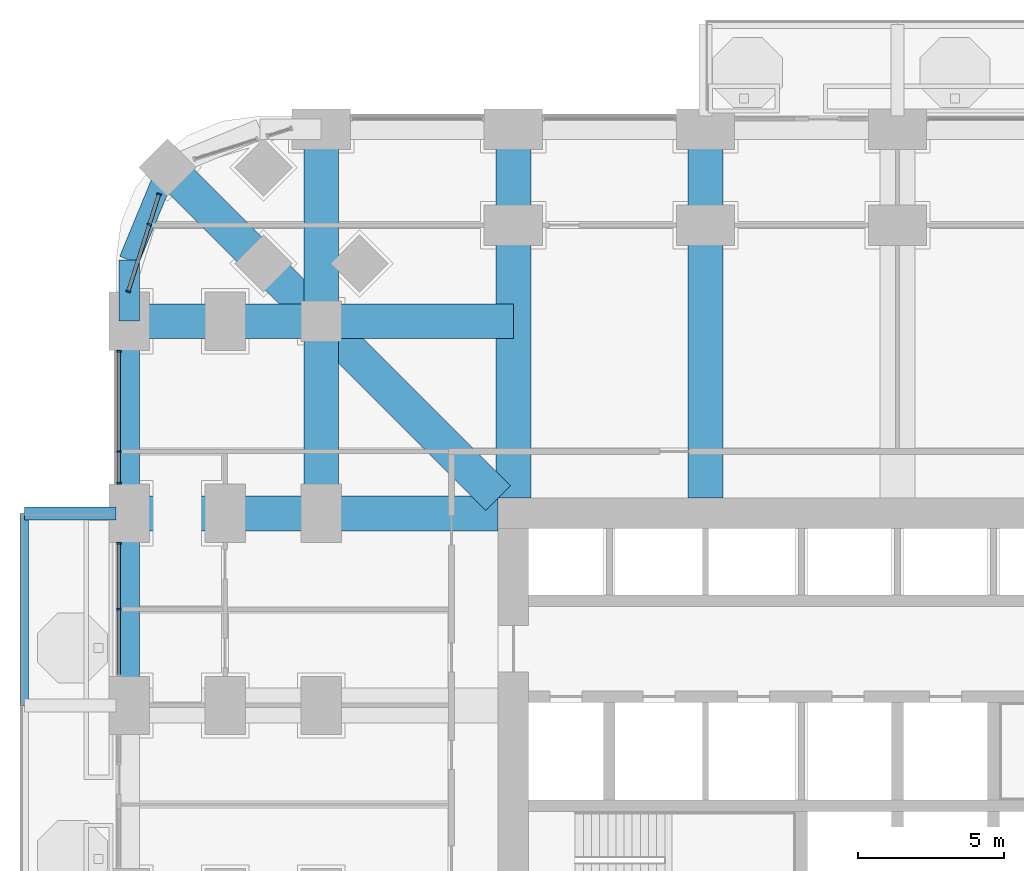
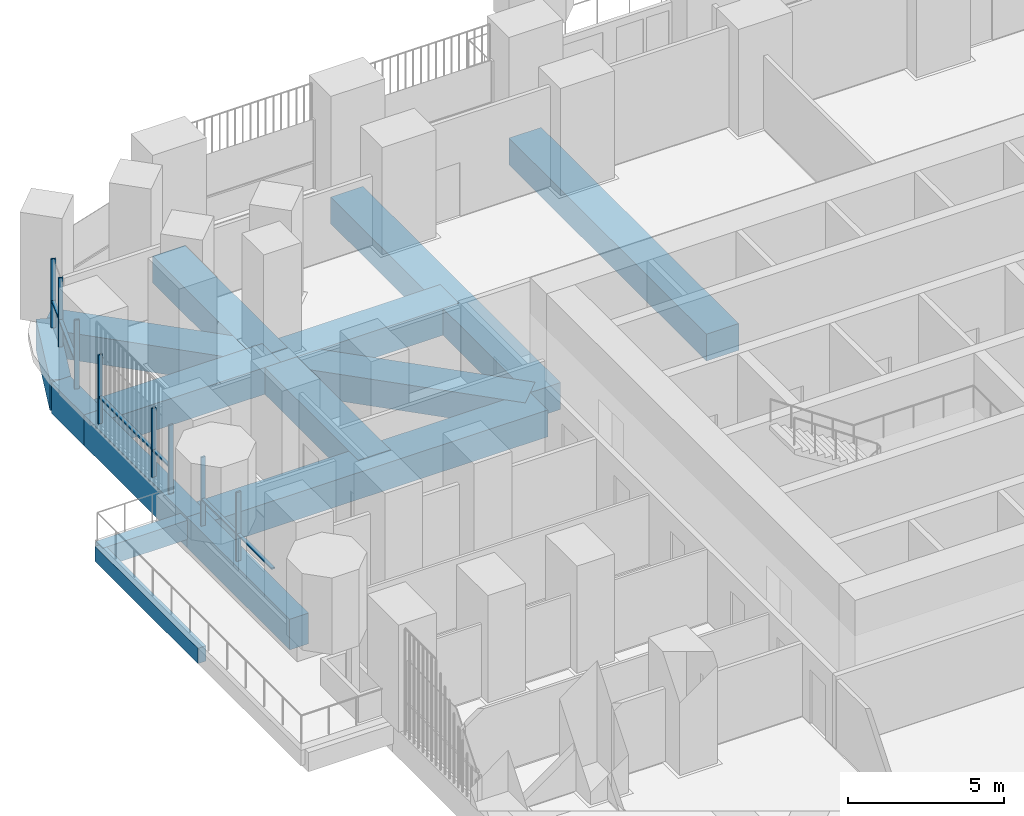
# One storey, part 6 of 24: 15 beams, 14 members, 3 elements without a shape of their own.
"""IFC4 building model written with IfcOpenShell, lengths in metres."""

from ifc_helpers import new_model, si_unit, direction, frame, origin, origin_2d, place, context, subcontext, project, spatial, rectangle, extrude, material, material_profile, profile_set, type_object, element, aggregate, save


model = new_model("IFC4")

# Units and contexts
model_context = context("Model", 3, precision=1e-05, world=origin(), true_north=direction((0.0, 1.0)))
body_context = subcontext(model_context, "Body", "Model", "MODEL_VIEW")
ifc_project = project(units=[si_unit("LENGTHUNIT", "METRE"), si_unit("AREAUNIT", "SQUARE_METRE"), si_unit("VOLUMEUNIT", "CUBIC_METRE"), si_unit("PLANEANGLEUNIT", "RADIAN"), si_unit("MASSUNIT", "GRAM", prefix="KILO")], contexts=[model_context])

# Site, building, storey
site_placement = place(None, origin())
site = spatial("IfcSite", under=ifc_project, at=site_placement, CompositionType="ELEMENT")
building_placement = place(site_placement, origin())
building = spatial("IfcBuilding", under=site, at=building_placement, Name="Cobogo Forest Laboratory Tower", CompositionType="ELEMENT")
storey_placement = place(building_placement, frame((0.0, 0.0, 17.10009765625)))
storey = spatial("IfcBuildingStorey", under=building, at=storey_placement, Name="L03", CompositionType="ELEMENT", Elevation=17.10009765625)

# Beams
ifc_material_1 = material(Name="Concrete HA-40 (C40/50)", Category="concrete")
ifc_material_profile_1 = material_profile(ifc_material_1, rectangle(XDim=0.449951171875, YDim=0.75, at=origin_2d()), Name="RC 450x750")
ifc_profile_set_1 = profile_set([ifc_material_profile_1], Name="Concrete HA-40 (C40/50)")
beam_type_1 = type_object("IfcBeamType", Name="Balcony cantilever beam 450x750", PredefinedType="BEAM", material=ifc_profile_set_1)
beam_1_placement = place(storey_placement, frame((-0.449951171875, 33.0, -0.625), z_axis=(-1.0, 0.0, 0.0), x_axis=(0.0, -1.0, 0.0)))
element("IfcBeam", 1, at=beam_1_placement, inside=storey, type_object=beam_type_1, Name="CB1 BAL-W1-C3 L03", PredefinedType="BEAM", context=body_context, shape_type="SweptSolid", body=[
    extrude(rectangle(XDim=0.449951171875, YDim=0.75, at=origin_2d()), origin(), (0.0, 0.0, 1.0), 3.150146484375),
])
ifc_material_profile_2 = material_profile(ifc_material_1, rectangle(XDim=0.300048828125, YDim=0.60009765625, at=origin_2d()), Name="RC 300x600")
ifc_profile_set_2 = profile_set([ifc_material_profile_2], Name="Concrete HA-40 (C40/50)")
beam_type_2 = type_object("IfcBeamType", Name="Balcony edge beam 300x600", PredefinedType="BEAM", material=ifc_profile_set_2)
beam_2_placement = place(storey_placement, frame((-3.60009765625, 26.39990234375, -0.550048828125), z_axis=(0.0, 1.0, 0.0), x_axis=(-1.0, 0.0, 0.0)))
element("IfcBeam", 2, at=beam_2_placement, inside=storey, type_object=beam_type_2, Name="BB1 BAL-W1-T2 L03", PredefinedType="BEAM", context=body_context, shape_type="SweptSolid", body=[
    extrude(rectangle(XDim=0.300048828125, YDim=0.60009765625, at=origin_2d()), origin(), (0.0, 0.0, 1.0), 6.60009765625),
])
ifc_material_profile_3 = material_profile(ifc_material_1, rectangle(XDim=1.199951171875, YDim=1.050048828125, at=origin_2d()), Name="RC 1200x1050")
ifc_profile_set_3 = profile_set([ifc_material_profile_3], Name="Concrete HA-40 (C40/50)")
beam_type_3 = type_object("IfcBeamType", Name="Laboratory floor wide beam 1200x1050", PredefinedType="BEAM", material=ifc_profile_set_3)
for number, where, z_axis, x_axis, name in (
    (3, (13.199951171875, 33.52490234375, -0.8251953125), (0.0, 1.0, 0.0), (-1.0, 0.0, 0.0), "RB1 R-3-N L03"),
    (4, (19.800048828125, 33.52490234375, -0.8251953125), (0.0, 1.0, 0.0), (-1.0, 0.0, 0.0), "RB1 R-4-N L03"),
    (5, (12.675048828125, 33.0, -0.8251953125), (-1.0, 0.0, 0.0), (0.0, -1.0, 0.0), "RB1 R-F-W L03"),
):
    element("IfcBeam", number, at=place(storey_placement, frame(where, z_axis=z_axis, x_axis=x_axis)), inside=storey, type_object=beam_type_3, Name=name, PredefinedType="BEAM", context=body_context, shape_type="SweptSolid", body=[
        extrude(rectangle(XDim=1.199951171875, YDim=1.050048828125, at=origin_2d()), origin(), (0.0, 0.0, 1.0), 12.675048828125),
    ])
beam_3_placement = place(storey_placement, frame((6.60009765625, 46.199951171875, -0.8251953125), z_axis=(0.0, -1.0, 0.0), x_axis=(1.0, 0.0, 0.0)))
element("IfcBeam", 6, at=beam_3_placement, inside=storey, type_object=beam_type_3, Name="RB1 G-NW-XF L03", PredefinedType="BEAM", context=body_context, shape_type="SweptSolid", body=[
    extrude(rectangle(XDim=1.199951171875, YDim=1.050048828125, at=origin_2d()), origin(), (0.0, 0.0, 1.0), 6.599853515625),
])
for number, where, z_axis, x_axis, name in (
    (7, (6.60009765625, 39.60009765625, -0.8251953125), (0.0, -1.0, 0.0), (1.0, 0.0, 0.0), "RB1 G-NW-XC L03"),
    (8, (0.0, 39.60009765625, -0.8251953125), (1.0, 0.0, 0.0), (0.0, 1.0, 0.0), "RB1 G-NW-YF L03"),
):
    element("IfcBeam", number, at=place(storey_placement, frame(where, z_axis=z_axis, x_axis=x_axis)), inside=storey, type_object=beam_type_3, Name=name, PredefinedType="BEAM", context=body_context, shape_type="SweptSolid", body=[
        extrude(rectangle(XDim=1.199951171875, YDim=1.050048828125, at=origin_2d()), origin(), (0.0, 0.0, 1.0), 6.60009765625),
    ])
beam_4_placement = place(storey_placement, frame((6.60009765625, 39.60009765625, -0.8251953125), z_axis=(1.0, 0.0, 0.0), x_axis=(0.0, 1.0, 0.0)))
element("IfcBeam", 9, at=beam_4_placement, inside=storey, type_object=beam_type_3, Name="RB1 G-NW-YC L03", PredefinedType="BEAM", context=body_context, shape_type="SweptSolid", body=[
    extrude(rectangle(XDim=1.199951171875, YDim=1.050048828125, at=origin_2d()), origin(), (0.0, 0.0, 1.0), 6.599853515625),
])
beam_5_placement = place(storey_placement, frame((1.318115234375, 44.882080078125, -0.8251953125), z_axis=(0.707106781187, -0.707106781187, 0.0), x_axis=(0.707106781187, 0.707106781187, 0.0)))
element("IfcBeam", 10, at=beam_5_placement, inside=storey, type_object=beam_type_3, Name="RB1 G-NW-D1 L03", PredefinedType="BEAM", context=body_context, shape_type="SweptSolid", body=[
    extrude(rectangle(XDim=1.199951171875, YDim=1.050048828125, at=origin_2d()), origin(), (0.0, 0.0, 1.0), 7.469970703125),
])
beam_6_placement = place(storey_placement, frame((6.60009765625, 39.60009765625, -0.8251953125), z_axis=(0.707092572697, -0.70712098939, 0.0), x_axis=(0.70712098939, 0.707092572697, 0.0)))
element("IfcBeam", 11, at=beam_6_placement, inside=storey, type_object=beam_type_3, Name="RB1 G-NW-D2 L03", PredefinedType="BEAM", context=body_context, shape_type="SweptSolid", body=[
    extrude(rectangle(XDim=1.199951171875, YDim=1.050048828125, at=origin_2d()), origin(), (0.0, 0.0, 1.0), 8.591552734375),
])

# Curtain wall, members
ifc_material_2 = material(Name="Aluminium curtain wall", Category="aluminium")
curtain_wall_type = type_object("IfcCurtainWallType", Name="CW-1 unitised curtain wall, clear glazing, laboratory floors zones A and B", PredefinedType="USERDEFINED", material=ifc_material_2)
curtain_wall_1_placement = place(storey_placement, origin())
curtain_wall_1 = element("IfcCurtainWall", 12, at=curtain_wall_1_placement, inside=storey, type_object=curtain_wall_type, Name="Curtain wall 26 L03", ObjectType="UNITISED CURTAIN WALL", PredefinedType="USERDEFINED")
ifc_material_3 = material(Name="Aluminium mullion", Category="aluminium")
ifc_material_profile_4 = material_profile(ifc_material_3, rectangle(XDim=0.06005859375, YDim=0.159912109375, at=origin_2d()), Name="AL 60x160")
ifc_profile_set_4 = profile_set([ifc_material_profile_4], Name="Aluminium mullion")
member_type_1 = type_object("IfcMemberType", Name="MU-1 aluminium mullion 60x160", PredefinedType="MULLION", material=ifc_profile_set_4)
member_1_placement = place(storey_placement, frame((1.02734375, 43.961181640625, 0.0), z_axis=(0.0, 0.0, 1.0), x_axis=(-0.301135433696, -0.953581381201, 0.0)))
member_1 = element("IfcMember", 13, at=member_1_placement, type_object=member_type_1, Name="CW-1 mullion 1", PredefinedType="MULLION", context=body_context, shape_type="SweptSolid", body=[
    extrude(rectangle(XDim=0.06005859375, YDim=0.159912109375, at=origin_2d()), origin(), (0.0, 0.0, 1.0), 2.699951171875),
])
member_2_placement = place(storey_placement, frame((0.69970703125, 42.924072265625, 0.0), z_axis=(0.0, 0.0, 1.0), x_axis=(-0.301135433696, -0.953581381201, 0.0)))
member_2 = element("IfcMember", 14, at=member_2_placement, type_object=member_type_1, Name="CW-1 mullion 2", PredefinedType="MULLION", context=body_context, shape_type="SweptSolid", body=[
    extrude(rectangle(XDim=0.06005859375, YDim=0.159912109375, at=origin_2d()), origin(), (0.0, 0.0, 1.0), 2.699951171875),
])
member_3_placement = place(storey_placement, frame((-0.025146484375, 40.628662109375, 0.0), z_axis=(0.0, 0.0, 1.0), x_axis=(-0.301135433696, -0.953581381201, 0.0)))
member_3 = element("IfcMember", 15, at=member_3_placement, type_object=member_type_1, Name="CW-1 mullion 3", PredefinedType="MULLION", context=body_context, shape_type="SweptSolid", body=[
    extrude(rectangle(XDim=0.06005859375, YDim=0.159912109375, at=origin_2d()), origin(), (0.0, 0.0, 1.0), 2.699951171875),
])

curtain_wall_2_placement = place(storey_placement, origin())
curtain_wall_2 = element("IfcCurtainWall", 16, at=curtain_wall_2_placement, inside=storey, type_object=curtain_wall_type, Name="Curtain wall 27 L03", ObjectType="UNITISED CURTAIN WALL", PredefinedType="USERDEFINED")
member_4_placement = place(storey_placement, frame((-0.35009765625, 38.570068359375, 0.0), z_axis=(0.0, 0.0, 1.0), x_axis=(0.0, -1.0, 0.0)))
member_4 = element("IfcMember", 17, at=member_4_placement, type_object=member_type_1, Name="CW-1 mullion 1", PredefinedType="MULLION", context=body_context, shape_type="SweptSolid", body=[
    extrude(rectangle(XDim=0.06005859375, YDim=0.159912109375, at=origin_2d()), origin(), (0.0, 0.0, 1.0), 2.699951171875),
])
member_5_placement = place(storey_placement, frame((-0.35009765625, 35.125, 0.0), z_axis=(0.0, 0.0, 1.0), x_axis=(0.0, -1.0, 0.0)))
member_5 = element("IfcMember", 18, at=member_5_placement, type_object=member_type_1, Name="CW-1 mullion 2", PredefinedType="MULLION", context=body_context, shape_type="SweptSolid", body=[
    extrude(rectangle(XDim=0.06005859375, YDim=0.159912109375, at=origin_2d()), origin(), (0.0, 0.0, 1.0), 2.699951171875),
])
member_6_placement = place(storey_placement, frame((-0.35009765625, 34.030029296875, 0.0), z_axis=(0.0, 0.0, 1.0), x_axis=(0.0, -1.0, 0.0)))
member_6 = element("IfcMember", 19, at=member_6_placement, type_object=member_type_1, Name="CW-1 mullion 3", PredefinedType="MULLION", context=body_context, shape_type="SweptSolid", body=[
    extrude(rectangle(XDim=0.06005859375, YDim=0.159912109375, at=origin_2d()), origin(), (0.0, 0.0, 1.0), 2.699951171875),
])

curtain_wall_3_placement = place(storey_placement, origin())
curtain_wall_3 = element("IfcCurtainWall", 20, at=curtain_wall_3_placement, inside=storey, type_object=curtain_wall_type, Name="Curtain wall 28 L03", ObjectType="UNITISED CURTAIN WALL", PredefinedType="USERDEFINED")
member_7_placement = place(storey_placement, frame((-0.35009765625, 31.969970703125, 0.0), z_axis=(0.0, 0.0, 1.0), x_axis=(0.0, -1.0, 0.0)))
member_7 = element("IfcMember", 21, at=member_7_placement, type_object=member_type_1, Name="CW-1 mullion 1", PredefinedType="MULLION", context=body_context, shape_type="SweptSolid", body=[
    extrude(rectangle(XDim=0.06005859375, YDim=0.159912109375, at=origin_2d()), origin(), (0.0, 0.0, 1.0), 2.699951171875),
])
member_8_placement = place(storey_placement, frame((-0.35009765625, 29.699951171875, 0.0), z_axis=(0.0, 0.0, 1.0), x_axis=(0.0, -1.0, 0.0)))
member_8 = element("IfcMember", 22, at=member_8_placement, type_object=member_type_1, Name="CW-1 mullion 2", PredefinedType="MULLION", context=body_context, shape_type="SweptSolid", body=[
    extrude(rectangle(XDim=0.06005859375, YDim=0.159912109375, at=origin_2d()), origin(), (0.0, 0.0, 1.0), 2.699951171875),
])

# Beams
ifc_material_profile_5 = material_profile(ifc_material_1, rectangle(XDim=0.699951171875, YDim=1.199951171875, at=origin_2d()), Name="RC 700x1200")
ifc_profile_set_5 = profile_set([ifc_material_profile_5], Name="Concrete HA-40 (C40/50)")
beam_type_4 = type_object("IfcBeamType", Name="Perimeter edge beam 700x1200", PredefinedType="BEAM", material=ifc_profile_set_5)
for number, where, z_axis, x_axis, name in (
    (23, (0.0, 26.39990234375, -0.900146484375), (0.0, 1.0, 0.0), (-1.0, 0.0, 0.0), "EB1 E-W4 L03"),
    (24, (0.0, 33.0, -0.900146484375), (0.0, 1.0, 0.0), (-1.0, 0.0, 0.0), "EB1 E-W5 L03"),
):
    element("IfcBeam", number, at=place(storey_placement, frame(where, z_axis=z_axis, x_axis=x_axis)), inside=storey, type_object=beam_type_4, Name=name, PredefinedType="BEAM", context=body_context, shape_type="SweptSolid", body=[
        extrude(rectangle(XDim=0.699951171875, YDim=1.199951171875, at=origin_2d()), origin(), (0.0, 0.0, 1.0), 6.60009765625),
    ])
beam_7_placement = place(storey_placement, frame((0.0, 39.60009765625, -0.900146484375), z_axis=(0.0, 1.0, 0.0), x_axis=(-1.0, 0.0, 0.0)))
element("IfcBeam", 25, at=beam_7_placement, inside=storey, type_object=beam_type_4, Name="EB1 E-NWW1 L03", PredefinedType="BEAM", context=body_context, shape_type="SweptSolid", body=[
    extrude(rectangle(XDim=0.699951171875, YDim=1.199951171875, at=origin_2d()), origin(), (0.0, 0.0, 1.0), 2.099853515625),
])
beam_8_placement = place(storey_placement, frame((0.0, 41.699951171875, -0.900146484375), z_axis=(0.382691928466, 0.923876013265, 0.0), x_axis=(-0.923876013265, 0.382691928466, 0.0)))
element("IfcBeam", 26, at=beam_8_placement, inside=storey, type_object=beam_type_4, Name="EB1 E-NWW2 L03", PredefinedType="BEAM", context=body_context, shape_type="SweptSolid", body=[
    extrude(rectangle(XDim=0.699951171875, YDim=1.199951171875, at=origin_2d()), origin(), (0.0, 0.0, 1.0), 3.4443359375),
])

# Member
ifc_material_4 = material(Name="Aluminium transom", Category="aluminium")
ifc_material_profile_6 = material_profile(ifc_material_4, rectangle(XDim=0.1201171875, YDim=0.06005859375, at=origin_2d()), Name="AL 60x120")
ifc_profile_set_6 = profile_set([ifc_material_profile_6], Name="Aluminium transom")
member_type_2 = type_object("IfcMemberType", Name="TR-1 aluminium transom 60x120", PredefinedType="USERDEFINED", material=ifc_profile_set_6)
member_9_placement = place(storey_placement, frame((1.018310546875, 43.9326171875, 1.0498046875), z_axis=(-0.301222320394, -0.953553938535, 0.0), x_axis=(0.953553938535, -0.301222320394, 0.0)))
member_9 = element("IfcMember", 27, at=member_9_placement, type_object=member_type_2, Name="CW-1 transom 1.1", ObjectType="TRANSOM", PredefinedType="USERDEFINED", context=body_context, shape_type="SweptSolid", body=[
    extrude(rectangle(XDim=0.1201171875, YDim=0.06005859375, at=origin_2d()), origin(), (0.0, 0.0, 1.0), 1.02783203125),
])

member_10_placement = place(storey_placement, frame((0.690673828125, 42.8955078125, 1.0498046875), z_axis=(-0.301116434103, -0.953587380953, 0.0), x_axis=(0.953587380953, -0.301116434103, 0.0)))
member_10 = element("IfcMember", 28, at=member_10_placement, type_object=member_type_2, Name="CW-1 transom 2.1", ObjectType="TRANSOM", PredefinedType="USERDEFINED", context=body_context, shape_type="SweptSolid", body=[
    extrude(rectangle(XDim=0.1201171875, YDim=0.06005859375, at=origin_2d()), origin(), (0.0, 0.0, 1.0), 2.34716796875),
])

aggregate(curtain_wall_1, [member_1, member_2, member_3, member_9, member_10])

member_11_placement = place(storey_placement, frame((-0.35009765625, 38.5400390625, 1.0498046875), z_axis=(0.0, -1.0, 0.0), x_axis=(1.0, 0.0, 0.0)))
member_11 = element("IfcMember", 29, at=member_11_placement, type_object=member_type_2, Name="CW-1 transom 1.1", ObjectType="TRANSOM", PredefinedType="USERDEFINED", context=body_context, shape_type="SweptSolid", body=[
    extrude(rectangle(XDim=0.1201171875, YDim=0.06005859375, at=origin_2d()), origin(), (0.0, 0.0, 1.0), 3.385009765625),
])

member_12_placement = place(storey_placement, frame((-0.35009765625, 35.094970703125, 1.0498046875), z_axis=(0.0, -1.0, 0.0), x_axis=(1.0, 0.0, 0.0)))
member_12 = element("IfcMember", 30, at=member_12_placement, type_object=member_type_2, Name="CW-1 transom 2.1", ObjectType="TRANSOM", PredefinedType="USERDEFINED", context=body_context, shape_type="SweptSolid", body=[
    extrude(rectangle(XDim=0.1201171875, YDim=0.06005859375, at=origin_2d()), origin(), (0.0, 0.0, 1.0), 1.034912109375),
])

aggregate(curtain_wall_2, [member_4, member_5, member_6, member_11, member_12])

member_13_placement = place(storey_placement, frame((-0.35009765625, 31.93994140625, 1.0498046875), z_axis=(0.0, -1.0, 0.0), x_axis=(1.0, 0.0, 0.0)))
member_13 = element("IfcMember", 31, at=member_13_placement, type_object=member_type_2, Name="CW-1 transom 1.1", ObjectType="TRANSOM", PredefinedType="USERDEFINED", context=body_context, shape_type="SweptSolid", body=[
    extrude(rectangle(XDim=0.1201171875, YDim=0.06005859375, at=origin_2d()), origin(), (0.0, 0.0, 1.0), 2.2099609375),
])

member_14_placement = place(storey_placement, frame((-0.35009765625, 29.669921875, 1.0498046875), z_axis=(0.0, -1.0, 0.0), x_axis=(1.0, 0.0, 0.0)))
member_14 = element("IfcMember", 32, at=member_14_placement, type_object=member_type_2, Name="CW-1 transom 2.1", ObjectType="TRANSOM", PredefinedType="USERDEFINED", context=body_context, shape_type="SweptSolid", body=[
    extrude(rectangle(XDim=0.1201171875, YDim=0.06005859375, at=origin_2d()), origin(), (0.0, 0.0, 1.0), 2.2099609375),
])

aggregate(curtain_wall_3, [member_7, member_8, member_13, member_14])

save(model, "model.ifc")
